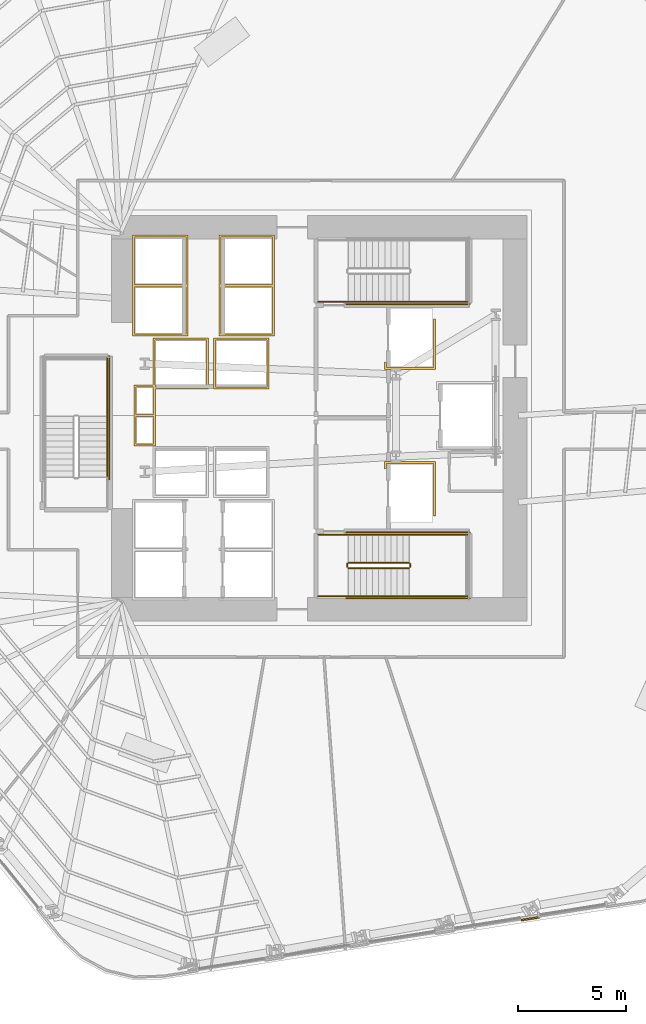
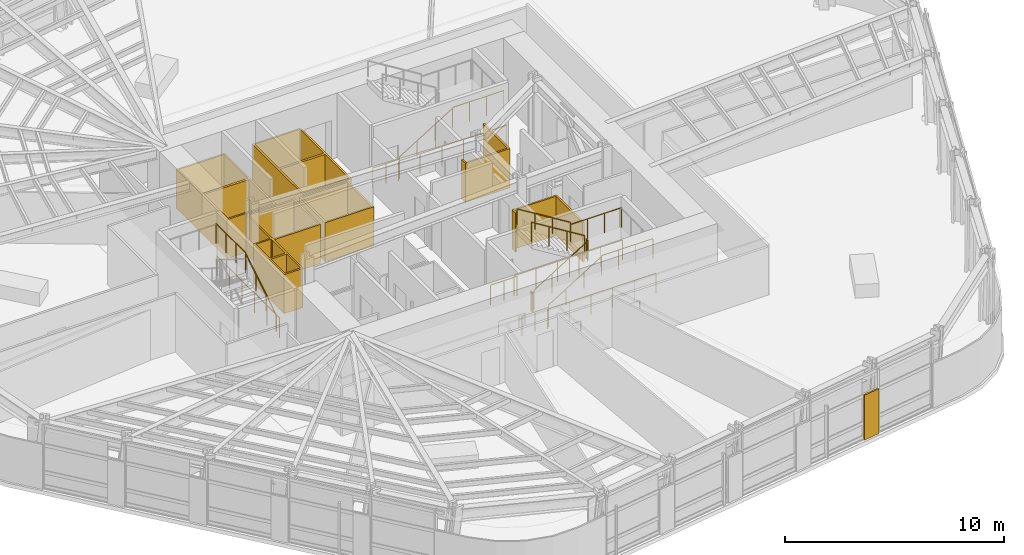
# One storey, part 12 of 16: 19 railings, 7 coverings.
"""IFC4 building model written with IfcOpenShell, lengths in metres."""

from ifc_helpers import new_model, si_unit, direction, frame, origin, origin_2d, place, context, subcontext, project, spatial, polyline, circle, outline, extrude, material, layer, layer_set, type_object, element, save


model = new_model("IFC4")

# Units and contexts
model_context = context("Model", 3, precision=1e-05, world=origin(), true_north=direction((0.0, 1.0)))
body_context = subcontext(model_context, "Body", "Model", "MODEL_VIEW")
ifc_project = project(units=[si_unit("LENGTHUNIT", "METRE"), si_unit("AREAUNIT", "SQUARE_METRE"), si_unit("VOLUMEUNIT", "CUBIC_METRE"), si_unit("PLANEANGLEUNIT", "RADIAN"), si_unit("MASSUNIT", "GRAM", prefix="KILO")], contexts=[model_context])

# Site, building, storey
site_placement = place(None, origin())
site = spatial("IfcSite", under=ifc_project, at=site_placement, CompositionType="ELEMENT")
building_placement = place(site_placement, origin())
building = spatial("IfcBuilding", under=site, at=building_placement, Name="Valkerne Bourse Tower", CompositionType="ELEMENT")
storey_placement = place(building_placement, frame((0.0, 0.0, 62.0)))
storey = spatial("IfcBuildingStorey", under=building, at=storey_placement, Name="L15", CompositionType="ELEMENT", Elevation=62.0)

# Coverings
ifc_material_1 = material(Name="Bronze Anodised Aluminium AA 6063-T6", Category="aluminium")
ifc_layer_1 = layer(ifc_material_1, 0.06005859375)
ifc_layer_set_1 = layer_set([ifc_layer_1], Name="Bronze Anodised Aluminium AA 6063-T6")
covering_type_1 = type_object("IfcCoveringType", Name="COV-CRN-ALUM", PredefinedType="CLADDING", material=ifc_layer_set_1)
covering_1_placement = place(storey_placement, origin())
element("IfcCovering", 1, at=covering_1_placement, inside=storey, type_object=covering_type_1, Name="L15 Wind-Shaped Corner Aluminium Cladding 02", PredefinedType="CLADDING", context=body_context, shape_type="SweptSolid", body=[
    extrude(outline(polyline([(56.14208984375, 3.648681640625), (56.12939453125, 3.7275390625), (56.95947265625, 3.857421875), (56.971923828125, 3.7783203125), (56.14208984375, 3.648681640625)])), origin(), (0.0, 0.0, 1.0), 2.5),
])
ifc_material_2 = material(Name="Gypsum Shaftwall Liner Board", Category="gypsum")
ifc_layer_2 = layer(ifc_material_2, 0.080078125)
ifc_layer_set_2 = layer_set([ifc_layer_2], Name="Gypsum Shaftwall Liner Board")
covering_type_2 = type_object("IfcCoveringType", Name="COV-SHF-CLAD", PredefinedType="CLADDING", material=ifc_layer_set_2)
covering_2_placement = place(storey_placement, origin())
element("IfcCovering", 2, at=covering_2_placement, inside=storey, type_object=covering_type_2, Name="L15 Hoistway & Riser Shaftwall Liner 04", PredefinedType="CLADDING", context=body_context, shape_type="SweptSolid", body=[
    extrude(outline(polyline([(38.239990234375, 28.409912109375), (39.1201171875, 28.409912109375), (39.1201171875, 30.580078125), (41.679931640625, 30.580078125), (41.679931640625, 28.219970703125), (39.239990234375, 28.219970703125), (39.239990234375, 27.0400390625), (39.239990234375, 26.9599609375), (39.239990234375, 25.590087890625), (38.239990234375, 25.590087890625), (38.239990234375, 26.9599609375), (38.239990234375, 27.0400390625), (38.239990234375, 28.409912109375)]), holes=[polyline([(39.2099609375, 30.489990234375), (39.2099609375, 28.409912109375), (39.239990234375, 28.409912109375), (39.239990234375, 28.31005859375), (41.590087890625, 28.31005859375), (41.590087890625, 30.489990234375), (39.2099609375, 30.489990234375)]), polyline([(38.330078125, 26.949951171875), (38.330078125, 25.679931640625), (39.14990234375, 25.679931640625), (39.14990234375, 26.949951171875), (38.330078125, 26.949951171875)]), polyline([(39.1201171875, 28.219970703125), (39.1201171875, 28.320068359375), (38.330078125, 28.320068359375), (38.330078125, 27.050048828125), (39.14990234375, 27.050048828125), (39.14990234375, 28.219970703125), (39.1201171875, 28.219970703125)])]), origin(), (0.0, 0.0, 1.0), 2.179931640625),
])
covering_3_placement = place(storey_placement, origin())
element("IfcCovering", 3, at=covering_3_placement, inside=storey, type_object=covering_type_2, Name="L15 Hoistway & Riser Shaftwall Liner 05", PredefinedType="CLADDING", context=body_context, shape_type="SweptSolid", body=[
    extrude(outline(polyline([(38.169921875, 35.330078125), (40.72998046875, 35.330078125), (40.72998046875, 33.030029296875), (40.72998046875, 32.969970703125), (40.72998046875, 30.669921875), (38.169921875, 30.669921875), (38.169921875, 32.969970703125), (38.169921875, 33.030029296875), (38.169921875, 35.330078125)]), holes=[polyline([(38.260009765625, 32.93994140625), (38.260009765625, 30.760009765625), (40.639892578125, 30.760009765625), (40.639892578125, 32.93994140625), (38.260009765625, 32.93994140625)]), polyline([(38.260009765625, 35.239990234375), (38.260009765625, 33.06005859375), (40.639892578125, 33.06005859375), (40.639892578125, 35.239990234375), (38.260009765625, 35.239990234375)])]), origin(), (0.0, 0.0, 1.0), 2.179931640625),
])
covering_4_placement = place(storey_placement, origin())
element("IfcCovering", 4, at=covering_4_placement, inside=storey, type_object=covering_type_2, Name="L15 Hoistway & Riser Shaftwall Liner 07", PredefinedType="CLADDING", context=body_context, shape_type="SweptSolid", body=[
    extrude(outline(polyline([(52.179931640625, 22.35009765625), (52.090087890625, 22.35009765625), (52.090087890625, 24.7900390625), (49.909912109375, 24.7900390625), (49.909912109375, 24.560791015625), (49.869384765625, 24.550537109375), (49.827880859375, 24.53564453125), (49.820068359375, 24.531982421875), (49.820068359375, 24.8798828125), (52.179931640625, 24.8798828125), (52.179931640625, 22.35009765625)])), origin(), (0.0, 0.0, 1.0), 2.179931640625),
])
covering_5_placement = place(storey_placement, origin())
element("IfcCovering", 5, at=covering_5_placement, inside=storey, type_object=covering_type_2, Name="L15 Hoistway & Riser Shaftwall Liner 09", PredefinedType="CLADDING", context=body_context, shape_type="SweptSolid", body=[
    extrude(outline(polyline([(44.47998046875, 28.219970703125), (41.919921875, 28.219970703125), (41.919921875, 30.580078125), (44.47998046875, 30.580078125), (44.47998046875, 28.219970703125)]), holes=[polyline([(42.010009765625, 30.489990234375), (42.010009765625, 28.31005859375), (44.389892578125, 28.31005859375), (44.389892578125, 30.489990234375), (42.010009765625, 30.489990234375)])]), origin(), (0.0, 0.0, 1.0), 2.179931640625),
])
covering_6_placement = place(storey_placement, origin())
element("IfcCovering", 6, at=covering_6_placement, inside=storey, type_object=covering_type_2, Name="L15 Hoistway & Riser Shaftwall Liner 10", PredefinedType="CLADDING", context=body_context, shape_type="SweptSolid", body=[
    extrude(outline(polyline([(49.820068359375, 29.1201171875), (49.820068359375, 29.468017578125), (49.827880859375, 29.46435546875), (49.869384765625, 29.449462890625), (49.909912109375, 29.439208984375), (49.909912109375, 29.2099609375), (52.090087890625, 29.2099609375), (52.090087890625, 31.449951171875), (52.179931640625, 31.449951171875), (52.179931640625, 29.1201171875), (49.820068359375, 29.1201171875)])), origin(), (0.0, 0.0, 1.0), 2.179931640625),
])
covering_7_placement = place(storey_placement, origin())
element("IfcCovering", 7, at=covering_7_placement, inside=storey, type_object=covering_type_2, Name="L15 Hoistway & Riser Shaftwall Liner 11", PredefinedType="CLADDING", context=body_context, shape_type="SweptSolid", body=[
    extrude(outline(polyline([(44.72998046875, 35.330078125), (44.72998046875, 33.030029296875), (44.72998046875, 32.969970703125), (44.72998046875, 30.669921875), (42.169921875, 30.669921875), (42.169921875, 32.969970703125), (42.169921875, 33.030029296875), (42.169921875, 35.330078125), (44.72998046875, 35.330078125)]), holes=[polyline([(42.260009765625, 30.760009765625), (44.639892578125, 30.760009765625), (44.639892578125, 32.93994140625), (42.260009765625, 32.93994140625), (42.260009765625, 30.760009765625)]), polyline([(42.260009765625, 33.06005859375), (44.639892578125, 33.06005859375), (44.639892578125, 35.239990234375), (42.260009765625, 35.239990234375), (42.260009765625, 33.06005859375)])]), origin(), (0.0, 0.0, 1.0), 2.179931640625),
])

# Railings
ifc_material_3 = material(Name="Galvanised Painted Steel", Category="steel")
railing_type_1 = type_object("IfcRailingType", Name="RLG-ST-GUARD-1120", PredefinedType="GUARDRAIL", material=ifc_material_3)
railing_1_placement = place(storey_placement, frame((48.14990234375, 19.949951171875, 0.172607421875)))
element("IfcRailing", 8, at=railing_1_placement, inside=storey, type_object=railing_type_1, Name="L15 ST-1 stair guard 1", PredefinedType="GUARDRAIL", context=body_context, shape_type="SweptSolid", body=[
    extrude(circle(Radius=0.02392578125, at=origin_2d()), frame((0.0, 0.0, 1.09619140625), z_axis=(0.851089632645, 0.0, 0.525020415988), x_axis=(0.0, 1.0, 0.0)), (0.0, 0.0, 1.0), 3.2900390625),
    extrude(circle(Radius=0.02099609375, at=origin_2d()), origin(), (0.0, 0.0, 1.0), 1.072021484375),
    extrude(circle(Radius=0.02099609375, at=origin_2d()), frame((0.933349609375, 0.0, 0.57568359375)), (0.0, 0.0, 1.0), 1.072021484375),
    extrude(circle(Radius=0.02099609375, at=origin_2d()), frame((1.86669921875, 0.0, 1.151611328125)), (0.0, 0.0, 1.0), 1.072021484375),
    extrude(circle(Radius=0.02099609375, at=origin_2d()), frame((2.800048828125, 0.0, 1.727294921875)), (0.0, 0.0, 1.0), 1.072021484375),
])
railing_2_placement = place(storey_placement, frame((51.0, 20.0, 1.89990234375)))
element("IfcRailing", 9, at=railing_2_placement, inside=storey, type_object=railing_type_1, Name="L15 ST-1 stair guard 2", PredefinedType="GUARDRAIL", context=body_context, shape_type="SweptSolid", body=[
    extrude(circle(Radius=0.02392578125, at=origin_2d()), frame((0.0, 0.0, 1.09619140625), z_axis=(0.0, 1.0, 0.0), x_axis=(-1.0, 0.0, 0.0)), (0.0, 0.0, 1.0), 0.14990234375),
    extrude(circle(Radius=0.02099609375, at=origin_2d()), origin(), (0.0, 0.0, 1.0), 1.072021484375),
    extrude(circle(Radius=0.02099609375, at=origin_2d()), frame((0.0, 0.14990234375, 0.0)), (0.0, 0.0, 1.0), 1.072021484375),
])
for number, where, name in (
    (10, (50.949951171875, 18.64990234375, 1.89990234375), "L15 ST-1 stair guard 3"),
    (11, (50.949951171875, 21.5, 1.89990234375), "L15 ST-1 stair guard 4"),
):
    element("IfcRailing", number, at=place(storey_placement, frame(where)), inside=storey, type_object=railing_type_1, Name=name, PredefinedType="GUARDRAIL", context=body_context, shape_type="SweptSolid", body=[
        extrude(circle(Radius=0.02392578125, at=origin_2d()), frame((0.0, 0.0, 1.09619140625), z_axis=(1.0, 0.0, 0.0), x_axis=(0.0, 1.0, 0.0)), (0.0, 0.0, 1.0), 2.699951171875),
        extrude(circle(Radius=0.02099609375, at=origin_2d()), origin(), (0.0, 0.0, 1.0), 1.072021484375),
        extrude(circle(Radius=0.02099609375, at=origin_2d()), frame((0.89990234375, 0.0, 0.0)), (0.0, 0.0, 1.0), 1.072021484375),
        extrude(circle(Radius=0.02099609375, at=origin_2d()), frame((1.800048828125, 0.0, 0.0)), (0.0, 0.0, 1.0), 1.072021484375),
        extrude(circle(Radius=0.02099609375, at=origin_2d()), frame((2.699951171875, 0.0, 0.0)), (0.0, 0.0, 1.0), 1.072021484375),
    ])
railing_3_placement = place(storey_placement, frame((50.949951171875, 20.199951171875, 2.07275390625)))
element("IfcRailing", 12, at=railing_3_placement, inside=storey, type_object=railing_type_1, Name="L15 ST-1 stair guard 6", PredefinedType="GUARDRAIL", context=body_context, shape_type="SweptSolid", body=[
    extrude(circle(Radius=0.02392578125, at=origin_2d()), frame((0.0, 0.0, 1.09619140625), z_axis=(-0.851089632645, 0.0, 0.525020415988), x_axis=(0.0, -1.0, 0.0)), (0.0, 0.0, 1.0), 3.2900390625),
    extrude(circle(Radius=0.02099609375, at=origin_2d()), origin(), (0.0, 0.0, 1.0), 1.072021484375),
    extrude(circle(Radius=0.02099609375, at=origin_2d()), frame((-0.933349609375, 0.0, 0.57568359375)), (0.0, 0.0, 1.0), 1.072021484375),
    extrude(circle(Radius=0.02099609375, at=origin_2d()), frame((-1.86669921875, 0.0, 1.151611328125)), (0.0, 0.0, 1.0), 1.072021484375),
    extrude(circle(Radius=0.02099609375, at=origin_2d()), frame((-2.800048828125, 0.0, 1.727294921875)), (0.0, 0.0, 1.0), 1.072021484375),
])
railing_4_placement = place(storey_placement, frame((48.10009765625, 20.0, 0.0)))
element("IfcRailing", 13, at=railing_4_placement, inside=storey, type_object=railing_type_1, Name="L15 ST-1 stair guard 7", PredefinedType="GUARDRAIL", context=body_context, shape_type="SweptSolid", body=[
    extrude(circle(Radius=0.02392578125, at=origin_2d()), frame((0.0, 0.0, 1.09619140625), z_axis=(0.0, 1.0, 0.0), x_axis=(-1.0, 0.0, 0.0)), (0.0, 0.0, 1.0), 0.14990234375),
    extrude(circle(Radius=0.02099609375, at=origin_2d()), origin(), (0.0, 0.0, 1.0), 1.072021484375),
    extrude(circle(Radius=0.02099609375, at=origin_2d()), frame((0.0, 0.14990234375, 0.0)), (0.0, 0.0, 1.0), 1.072021484375),
])
for number, where, name in (
    (14, (46.75, 18.64990234375, 0.0), "L15 ST-1 stair guard 8"),
    (15, (46.75, 21.5, 0.0), "L15 ST-1 stair guard 9"),
):
    element("IfcRailing", number, at=place(storey_placement, frame(where)), inside=storey, type_object=railing_type_1, Name=name, PredefinedType="GUARDRAIL", context=body_context, shape_type="SweptSolid", body=[
        extrude(circle(Radius=0.02392578125, at=origin_2d()), frame((0.0, 0.0, 1.09619140625), z_axis=(1.0, 0.0, 0.0), x_axis=(0.0, 1.0, 0.0)), (0.0, 0.0, 1.0), 1.39990234375),
        extrude(circle(Radius=0.02099609375, at=origin_2d()), origin(), (0.0, 0.0, 1.0), 1.072021484375),
        extrude(circle(Radius=0.02099609375, at=origin_2d()), frame((0.699951171875, 0.0, 0.0)), (0.0, 0.0, 1.0), 1.072021484375),
        extrude(circle(Radius=0.02099609375, at=origin_2d()), frame((1.39990234375, 0.0, 0.0)), (0.0, 0.0, 1.0), 1.072021484375),
    ])
for number, where, name in (
    (16, (48.050048828125, 18.550048828125, 0.0), "L15 ST-1 stair guard 10"),
    (17, (48.050048828125, 21.60009765625, 0.0), "L15 ST-1 stair guard 11"),
):
    element("IfcRailing", number, at=place(storey_placement, frame(where)), inside=storey, type_object=railing_type_1, Name=name, PredefinedType="GUARDRAIL", context=body_context, shape_type="SweptSolid", body=[
        extrude(circle(Radius=0.02392578125, at=origin_2d()), frame((0.0, 0.0, 1.09619140625), z_axis=(1.0, 0.0, 0.0), x_axis=(0.0, 1.0, 0.0)), (0.0, 0.0, 1.0), 5.699951171875),
        extrude(circle(Radius=0.02099609375, at=origin_2d()), origin(), (0.0, 0.0, 1.0), 1.072021484375),
        extrude(circle(Radius=0.02099609375, at=origin_2d()), frame((1.139892578125, 0.0, 0.0)), (0.0, 0.0, 1.0), 1.072021484375),
        extrude(circle(Radius=0.02099609375, at=origin_2d()), frame((2.280029296875, 0.0, 0.0)), (0.0, 0.0, 1.0), 1.072021484375),
        extrude(circle(Radius=0.02099609375, at=origin_2d()), frame((3.419921875, 0.0, 0.0)), (0.0, 0.0, 1.0), 1.072021484375),
        extrude(circle(Radius=0.02099609375, at=origin_2d()), frame((4.56005859375, 0.0, 0.0)), (0.0, 0.0, 1.0), 1.072021484375),
        extrude(circle(Radius=0.02099609375, at=origin_2d()), frame((5.699951171875, 0.0, 0.0)), (0.0, 0.0, 1.0), 1.072021484375),
    ])
railing_5_placement = place(storey_placement, frame((50.949951171875, 32.25, 1.89990234375)))
element("IfcRailing", 18, at=railing_5_placement, inside=storey, type_object=railing_type_1, Name="L15 ST-2 stair guard 3", PredefinedType="GUARDRAIL", context=body_context, shape_type="SweptSolid", body=[
    extrude(circle(Radius=0.02392578125, at=origin_2d()), frame((0.0, 0.0, 1.09619140625), z_axis=(1.0, 0.0, 0.0), x_axis=(0.0, 1.0, 0.0)), (0.0, 0.0, 1.0), 2.699951171875),
    extrude(circle(Radius=0.02099609375, at=origin_2d()), origin(), (0.0, 0.0, 1.0), 1.072021484375),
    extrude(circle(Radius=0.02099609375, at=origin_2d()), frame((0.89990234375, 0.0, 0.0)), (0.0, 0.0, 1.0), 1.072021484375),
    extrude(circle(Radius=0.02099609375, at=origin_2d()), frame((1.800048828125, 0.0, 0.0)), (0.0, 0.0, 1.0), 1.072021484375),
    extrude(circle(Radius=0.02099609375, at=origin_2d()), frame((2.699951171875, 0.0, 0.0)), (0.0, 0.0, 1.0), 1.072021484375),
])
railing_6_placement = place(storey_placement, frame((46.75, 32.25, 0.0)))
element("IfcRailing", 19, at=railing_6_placement, inside=storey, type_object=railing_type_1, Name="L15 ST-2 stair guard 8", PredefinedType="GUARDRAIL", context=body_context, shape_type="SweptSolid", body=[
    extrude(circle(Radius=0.02392578125, at=origin_2d()), frame((0.0, 0.0, 1.09619140625), z_axis=(1.0, 0.0, 0.0), x_axis=(0.0, 1.0, 0.0)), (0.0, 0.0, 1.0), 1.39990234375),
    extrude(circle(Radius=0.02099609375, at=origin_2d()), origin(), (0.0, 0.0, 1.0), 1.072021484375),
    extrude(circle(Radius=0.02099609375, at=origin_2d()), frame((0.699951171875, 0.0, 0.0)), (0.0, 0.0, 1.0), 1.072021484375),
    extrude(circle(Radius=0.02099609375, at=origin_2d()), frame((1.39990234375, 0.0, 0.0)), (0.0, 0.0, 1.0), 1.072021484375),
])
railing_7_placement = place(storey_placement, frame((48.050048828125, 32.14990234375, 0.0)))
element("IfcRailing", 20, at=railing_7_placement, inside=storey, type_object=railing_type_1, Name="L15 ST-2 stair guard 10", PredefinedType="GUARDRAIL", context=body_context, shape_type="SweptSolid", body=[
    extrude(circle(Radius=0.02392578125, at=origin_2d()), frame((0.0, 0.0, 1.09619140625), z_axis=(1.0, 0.0, 0.0), x_axis=(0.0, 1.0, 0.0)), (0.0, 0.0, 1.0), 5.699951171875),
    extrude(circle(Radius=0.02099609375, at=origin_2d()), origin(), (0.0, 0.0, 1.0), 1.072021484375),
    extrude(circle(Radius=0.02099609375, at=origin_2d()), frame((1.139892578125, 0.0, 0.0)), (0.0, 0.0, 1.0), 1.072021484375),
    extrude(circle(Radius=0.02099609375, at=origin_2d()), frame((2.280029296875, 0.0, 0.0)), (0.0, 0.0, 1.0), 1.072021484375),
    extrude(circle(Radius=0.02099609375, at=origin_2d()), frame((3.419921875, 0.0, 0.0)), (0.0, 0.0, 1.0), 1.072021484375),
    extrude(circle(Radius=0.02099609375, at=origin_2d()), frame((4.56005859375, 0.0, 0.0)), (0.0, 0.0, 1.0), 1.072021484375),
    extrude(circle(Radius=0.02099609375, at=origin_2d()), frame((5.699951171875, 0.0, 0.0)), (0.0, 0.0, 1.0), 1.072021484375),
])
railing_8_placement = place(storey_placement, frame((37.0, 26.949951171875, 1.89990234375)))
element("IfcRailing", 21, at=railing_8_placement, inside=storey, type_object=railing_type_1, Name="L15 ST-3 stair guard 3", PredefinedType="GUARDRAIL", context=body_context, shape_type="SweptSolid", body=[
    extrude(circle(Radius=0.02392578125, at=origin_2d()), frame((0.0, 0.0, 1.09619140625), z_axis=(0.0, 1.0, 0.0), x_axis=(-1.0, 0.0, 0.0)), (0.0, 0.0, 1.0), 2.699951171875),
    extrude(circle(Radius=0.02099609375, at=origin_2d()), origin(), (0.0, 0.0, 1.0), 1.072021484375),
    extrude(circle(Radius=0.02099609375, at=origin_2d()), frame((0.0, 0.89990234375, 0.0)), (0.0, 0.0, 1.0), 1.072021484375),
    extrude(circle(Radius=0.02099609375, at=origin_2d()), frame((0.0, 1.800048828125, 0.0)), (0.0, 0.0, 1.0), 1.072021484375),
    extrude(circle(Radius=0.02099609375, at=origin_2d()), frame((0.0, 2.699951171875, 0.0)), (0.0, 0.0, 1.0), 1.072021484375),
])
railing_9_placement = place(storey_placement, frame((37.10009765625, 24.050048828125, 0.0)))
element("IfcRailing", 22, at=railing_9_placement, inside=storey, type_object=railing_type_1, Name="L15 ST-3 stair guard 10", PredefinedType="GUARDRAIL", context=body_context, shape_type="SweptSolid", body=[
    extrude(circle(Radius=0.02392578125, at=origin_2d()), frame((0.0, 0.0, 1.09619140625), z_axis=(0.0, 1.0, 0.0), x_axis=(-1.0, 0.0, 0.0)), (0.0, 0.0, 1.0), 5.699951171875),
    extrude(circle(Radius=0.02099609375, at=origin_2d()), origin(), (0.0, 0.0, 1.0), 1.072021484375),
    extrude(circle(Radius=0.02099609375, at=origin_2d()), frame((0.0, 1.139892578125, 0.0)), (0.0, 0.0, 1.0), 1.072021484375),
    extrude(circle(Radius=0.02099609375, at=origin_2d()), frame((0.0, 2.280029296875, 0.0)), (0.0, 0.0, 1.0), 1.072021484375),
    extrude(circle(Radius=0.02099609375, at=origin_2d()), frame((0.0, 3.419921875, 0.0)), (0.0, 0.0, 1.0), 1.072021484375),
    extrude(circle(Radius=0.02099609375, at=origin_2d()), frame((0.0, 4.56005859375, 0.0)), (0.0, 0.0, 1.0), 1.072021484375),
    extrude(circle(Radius=0.02099609375, at=origin_2d()), frame((0.0, 5.699951171875, 0.0)), (0.0, 0.0, 1.0), 1.072021484375),
])
ifc_material_4 = material(Name="Stainless Steel AISI 316", Category="steel")
railing_type_2 = type_object("IfcRailingType", Name="RLG-ST-HANDRAIL-900", PredefinedType="HANDRAIL", material=ifc_material_4)
railing_10_placement = place(storey_placement, frame((48.14990234375, 18.64990234375, 0.345458984375)))
element("IfcRailing", 23, at=railing_10_placement, inside=storey, type_object=railing_type_2, Name="L15 ST-1 stair handrail 1", PredefinedType="HANDRAIL", context=body_context, shape_type="SweptSolid", body=[
    extrude(circle(Radius=0.02392578125, at=origin_2d()), frame((0.0, 0.0, 0.8759765625), z_axis=(0.851089632645, 0.0, 0.525020415988), x_axis=(0.0, 1.0, 0.0)), (0.0, 0.0, 1.0), 3.2900390625),
    extrude(circle(Radius=0.02099609375, at=origin_2d()), origin(), (0.0, 0.0, 1.0), 0.851806640625),
    extrude(circle(Radius=0.02099609375, at=origin_2d()), frame((0.933349609375, 0.0, 0.57568359375)), (0.0, 0.0, 1.0), 0.851806640625),
    extrude(circle(Radius=0.02099609375, at=origin_2d()), frame((1.86669921875, 0.0, 1.151611328125)), (0.0, 0.0, 1.0), 0.851806640625),
    extrude(circle(Radius=0.02099609375, at=origin_2d()), frame((2.800048828125, 0.0, 1.727294921875)), (0.0, 0.0, 1.0), 0.851806640625),
])
railing_11_placement = place(storey_placement, frame((50.949951171875, 21.5, 2.245361328125)))
element("IfcRailing", 24, at=railing_11_placement, inside=storey, type_object=railing_type_2, Name="L15 ST-1 stair handrail 2", PredefinedType="HANDRAIL", context=body_context, shape_type="SweptSolid", body=[
    extrude(circle(Radius=0.02392578125, at=origin_2d()), frame((0.0, 0.0, 0.8759765625), z_axis=(-0.851089632645, 0.0, 0.525020415988), x_axis=(0.0, -1.0, 0.0)), (0.0, 0.0, 1.0), 3.2900390625),
    extrude(circle(Radius=0.02099609375, at=origin_2d()), origin(), (0.0, 0.0, 1.0), 0.851806640625),
    extrude(circle(Radius=0.02099609375, at=origin_2d()), frame((-0.933349609375, 0.0, 0.57568359375)), (0.0, 0.0, 1.0), 0.851806640625),
    extrude(circle(Radius=0.02099609375, at=origin_2d()), frame((-1.86669921875, 0.0, 1.151611328125)), (0.0, 0.0, 1.0), 0.851806640625),
    extrude(circle(Radius=0.02099609375, at=origin_2d()), frame((-2.800048828125, 0.0, 1.727294921875)), (0.0, 0.0, 1.0), 0.851806640625),
])
railing_12_placement = place(storey_placement, frame((48.14990234375, 32.25, 0.345458984375)))
element("IfcRailing", 25, at=railing_12_placement, inside=storey, type_object=railing_type_2, Name="L15 ST-2 stair handrail 1", PredefinedType="HANDRAIL", context=body_context, shape_type="SweptSolid", body=[
    extrude(circle(Radius=0.02392578125, at=origin_2d()), frame((0.0, 0.0, 0.8759765625), z_axis=(0.851089632645, 0.0, 0.525020415988), x_axis=(0.0, 1.0, 0.0)), (0.0, 0.0, 1.0), 3.2900390625),
    extrude(circle(Radius=0.02099609375, at=origin_2d()), origin(), (0.0, 0.0, 1.0), 0.851806640625),
    extrude(circle(Radius=0.02099609375, at=origin_2d()), frame((0.933349609375, 0.0, 0.57568359375)), (0.0, 0.0, 1.0), 0.851806640625),
    extrude(circle(Radius=0.02099609375, at=origin_2d()), frame((1.86669921875, 0.0, 1.151611328125)), (0.0, 0.0, 1.0), 0.851806640625),
    extrude(circle(Radius=0.02099609375, at=origin_2d()), frame((2.800048828125, 0.0, 1.727294921875)), (0.0, 0.0, 1.0), 0.851806640625),
])
railing_13_placement = place(storey_placement, frame((37.0, 24.14990234375, 0.345458984375)))
element("IfcRailing", 26, at=railing_13_placement, inside=storey, type_object=railing_type_2, Name="L15 ST-3 stair handrail 1", PredefinedType="HANDRAIL", context=body_context, shape_type="SweptSolid", body=[
    extrude(circle(Radius=0.02392578125, at=origin_2d()), frame((0.0, 0.0, 0.8759765625), z_axis=(0.0, 0.851089632645, 0.525020415988), x_axis=(-1.0, 0.0, 0.0)), (0.0, 0.0, 1.0), 3.2900390625),
    extrude(circle(Radius=0.02099609375, at=origin_2d()), origin(), (0.0, 0.0, 1.0), 0.851806640625),
    extrude(circle(Radius=0.02099609375, at=origin_2d()), frame((0.0, 0.933349609375, 0.57568359375)), (0.0, 0.0, 1.0), 0.851806640625),
    extrude(circle(Radius=0.02099609375, at=origin_2d()), frame((0.0, 1.86669921875, 1.151611328125)), (0.0, 0.0, 1.0), 0.851806640625),
    extrude(circle(Radius=0.02099609375, at=origin_2d()), frame((0.0, 2.800048828125, 1.727294921875)), (0.0, 0.0, 1.0), 0.851806640625),
])

save(model, "model.ifc")
